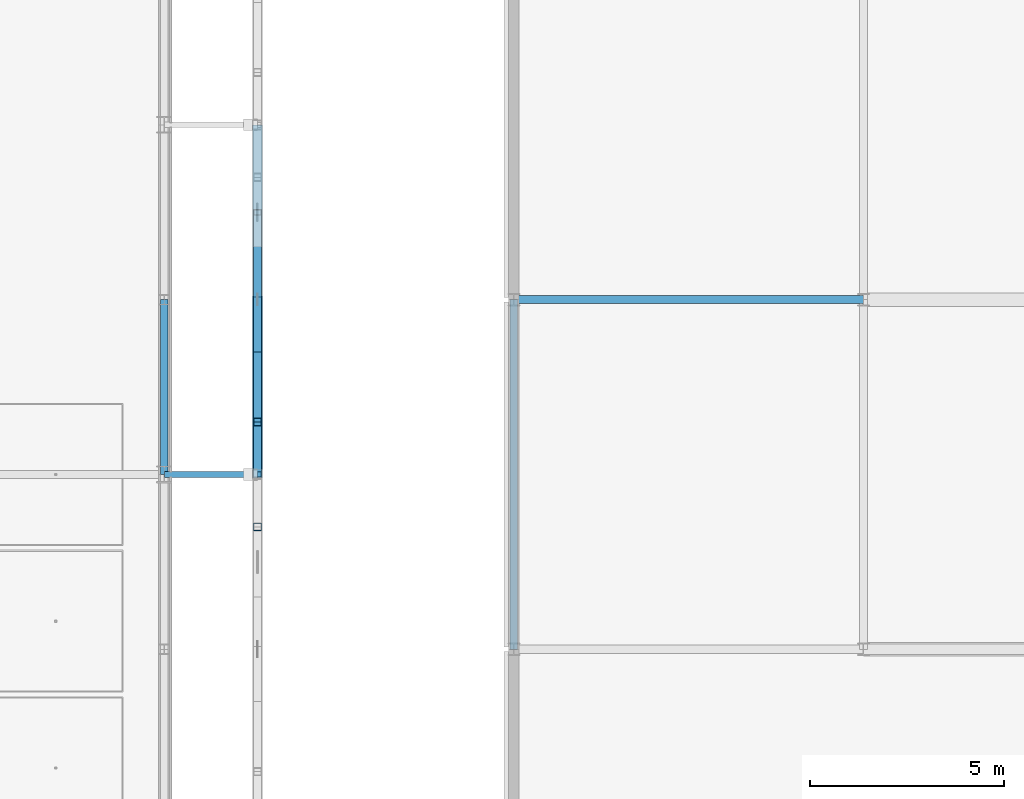
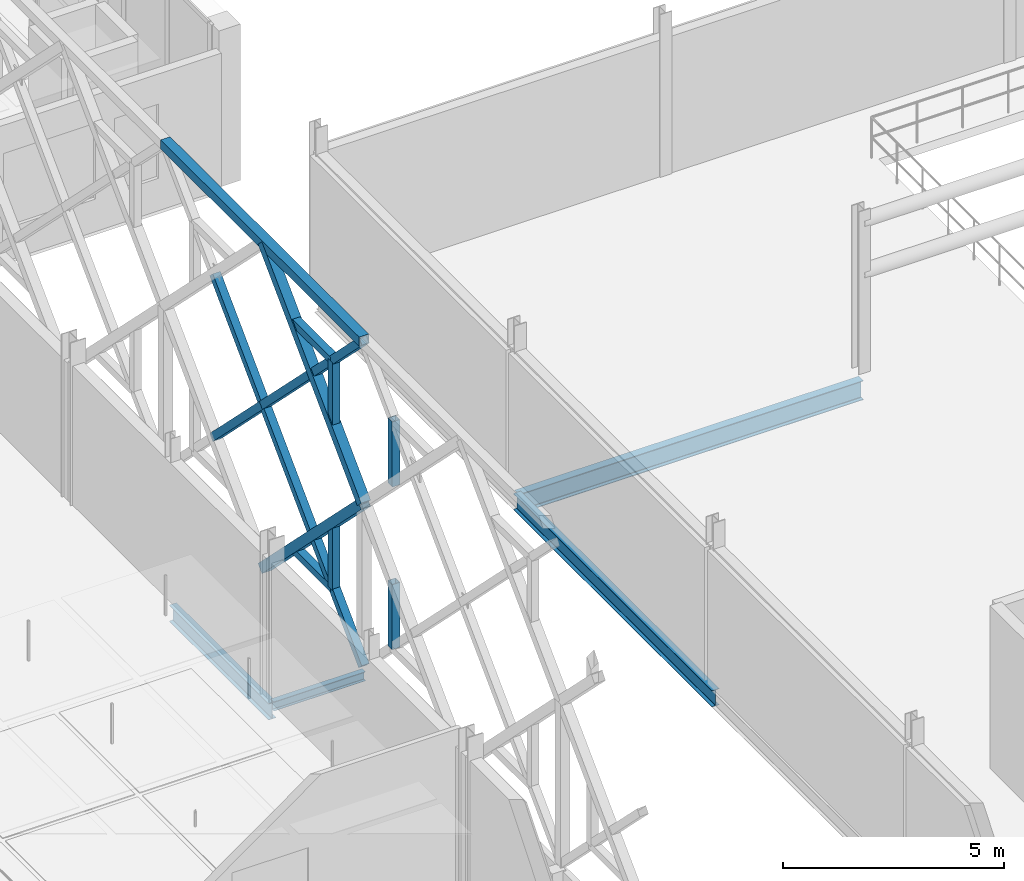
# One storey, part 36 of 140: 14 members, 4 beams.
"""IFC4 building model written with IfcOpenShell, lengths in metres."""

from ifc_helpers import new_model, si_unit, direction, frame, origin, origin_2d, place, context, subcontext, project, spatial, hollow_rectangle, i_section, extrude, material, material_profile, profile_set, type_object, element, save


model = new_model("IFC4")

# Units and contexts
model_context = context("Model", 3, precision=1e-05, world=origin(), true_north=direction((0.0, 1.0)))
body_context = subcontext(model_context, "Body", "Model", "MODEL_VIEW")
ifc_project = project(units=[si_unit("LENGTHUNIT", "METRE"), si_unit("AREAUNIT", "SQUARE_METRE"), si_unit("VOLUMEUNIT", "CUBIC_METRE"), si_unit("PLANEANGLEUNIT", "RADIAN"), si_unit("MASSUNIT", "GRAM", prefix="KILO"), si_unit("THERMODYNAMICTEMPERATUREUNIT", "KELVIN"), si_unit("POWERUNIT", "WATT")], contexts=[model_context])

# Site, building, storey
site_placement = place(None, origin())
site = spatial("IfcSite", under=ifc_project, at=site_placement, CompositionType="ELEMENT")
building_placement = place(site_placement, origin())
building = spatial("IfcBuilding", under=site, at=building_placement, Name="Tallowbark Science Centre", CompositionType="ELEMENT")
storey_placement = place(building_placement, frame((0.0, 0.0, 9.89990234375)))
storey = spatial("IfcBuildingStorey", under=building, at=storey_placement, Name="L02", CompositionType="ELEMENT", Elevation=9.89990234375)

# Beams
ifc_material_1 = material(Name="White Architectural Painted Steel Grade C350L0 (350 MPa)", Category="steel")
ifc_material_profile_1 = material_profile(ifc_material_1, i_section(OverallWidth=0.146484375, OverallDepth=0.256103515625, WebThickness=0.00634765625, FlangeThickness=0.010986328125, FilletRadius=0.0087890625, at=origin_2d()), Name="250UB37.3")
ifc_profile_set_1 = profile_set([ifc_material_profile_1], Name="White Architectural Painted Steel Grade C350L0 (350 MPa)")
beam_type_1 = type_object("IfcBeamType", Name="BM-OUT250", PredefinedType="BEAM", material=ifc_profile_set_1)
beam_1_placement = place(storey_placement, frame((103.5, 22.5, -0.25), z_axis=(1.0, 0.0, 0.0), x_axis=(0.0, 1.0, 0.0)))
element("IfcBeam", 1, at=beam_1_placement, inside=storey, type_object=beam_type_1, Name="Star Screen Outrigger Tie Beam E-33", PredefinedType="BEAM", context=body_context, shape_type="SweptSolid", body=[
    extrude(i_section(OverallWidth=0.146484375, OverallDepth=0.256103515625, WebThickness=0.00634765625, FlangeThickness=0.010986328125, FilletRadius=0.0087890625, at=origin_2d()), origin(), (0.0, 0.0, 1.0), 2.39990234375),
])
ifc_material_2 = material(Name="Structural Steel Grade 300PLUS (300 MPa)", Category="steel")
ifc_material_profile_2 = material_profile(ifc_material_2, i_section(OverallWidth=0.208984375, OverallDepth=0.532958984375, WebThickness=0.01025390625, FlangeThickness=0.015625, FilletRadius=0.013916015625, at=origin_2d()), Name="530UB92.4")
ifc_profile_set_2 = profile_set([ifc_material_profile_2], Name="Structural Steel Grade 300PLUS (300 MPa)")
beam_type_2 = type_object("IfcBeamType", Name="BM-UB530A", PredefinedType="BEAM", material=ifc_profile_set_2)
beam_2_placement = place(storey_placement, frame((112.5, 27.0, -0.511474609375), z_axis=(1.0, 0.0, 0.0), x_axis=(0.0, 1.0, 0.0)))
element("IfcBeam", 2, at=beam_2_placement, inside=storey, type_object=beam_type_2, Name="Primary Girder GRDX-L02-1125-1215-270", PredefinedType="BEAM", context=body_context, shape_type="SweptSolid", body=[
    extrude(i_section(OverallWidth=0.208984375, OverallDepth=0.532958984375, WebThickness=0.01025390625, FlangeThickness=0.015625, FilletRadius=0.013916015625, at=origin_2d()), origin(), (0.0, 0.0, 1.0), 9.0),
])

# Members
ifc_material_profile_3 = material_profile(ifc_material_1, hollow_rectangle(XDim=0.25, YDim=0.25, WallThickness=0.009033203125, at=origin_2d()), Name="250x250x9.0SHS")
ifc_profile_set_3 = profile_set([ifc_material_profile_3], Name="White Architectural Painted Steel Grade C350L0 (350 MPa)")
member_type_1 = type_object("IfcMemberType", Name="SCR-CHD200", PredefinedType="CHORD", material=ifc_profile_set_3)
member_1_placement = place(storey_placement, frame((105.89990234375, 22.5, 9.0), z_axis=(0.0, 1.0, 0.0), x_axis=(-1.0, 0.0, 0.0)))
element("IfcMember", 3, at=member_1_placement, inside=storey, type_object=member_type_1, Name="Star Screen Frame Chord E-33", PredefinedType="CHORD", context=body_context, shape_type="SweptSolid", body=[
    extrude(hollow_rectangle(XDim=0.25, YDim=0.25, WallThickness=0.009033203125, at=origin_2d()), origin(), (0.0, 0.0, 1.0), 9.0),
])
for number, where, z_axis, x_axis, name in (
    (4, (105.89990234375, 27.0, 9.0), (0.0, -0.707106781187, -0.707106781187), (1.0, 0.0, 0.0), "Star Screen Octagram Diamond Chord E-33-3"),
    (5, (105.89990234375, 22.5, 4.5), (0.0, 0.707106781187, -0.707106781187), (-1.0, 0.0, 0.0), "Star Screen Octagram Diamond Chord E-33-4"),
):
    element("IfcMember", number, at=place(storey_placement, frame(where, z_axis=z_axis, x_axis=x_axis)), inside=storey, type_object=member_type_1, Name=name, PredefinedType="CHORD", context=body_context, shape_type="SweptSolid", body=[
        extrude(hollow_rectangle(XDim=0.25, YDim=0.25, WallThickness=0.009033203125, at=origin_2d()), origin(), (0.0, 0.0, 1.0), 6.364013671875),
    ])
ifc_material_profile_4 = material_profile(ifc_material_1, hollow_rectangle(XDim=0.199951171875, YDim=0.199951171875, WallThickness=0.009033203125, at=origin_2d()), Name="200x200x9.0SHS")
ifc_profile_set_4 = profile_set([ifc_material_profile_4], Name="White Architectural Painted Steel Grade C350L0 (350 MPa)")
member_type_2 = type_object("IfcMemberType", Name="SCR-STAR139", PredefinedType="BRACE", material=ifc_profile_set_4)
member_2_placement = place(storey_placement, frame((105.89990234375, 22.5, 0.0), z_axis=(0.0, 0.707106781187, 0.707106781187), x_axis=(-1.0, 0.0, 0.0)))
element("IfcMember", 6, at=member_2_placement, inside=storey, type_object=member_type_2, Name="Star Screen Continuous X-Diagonal D1A E-33", PredefinedType="BRACE", context=body_context, shape_type="SweptSolid", body=[
    extrude(hollow_rectangle(XDim=0.199951171875, YDim=0.199951171875, WallThickness=0.009033203125, at=origin_2d()), origin(), (0.0, 0.0, 1.0), 3.181884765625),
])
member_3_placement = place(storey_placement, frame((105.89990234375, 24.75, 2.25), z_axis=(0.0, 0.707106781187, 0.707106781187), x_axis=(-1.0, 0.0, 0.0)))
element("IfcMember", 7, at=member_3_placement, inside=storey, type_object=member_type_2, Name="Star Screen Continuous X-Diagonal D1M E-33", PredefinedType="BRACE", context=body_context, shape_type="SweptSolid", body=[
    extrude(hollow_rectangle(XDim=0.199951171875, YDim=0.199951171875, WallThickness=0.009033203125, at=origin_2d()), origin(), (0.0, 0.0, 1.0), 6.364013671875),
])
for number, where, z_axis, x_axis, name in (
    (8, (105.89990234375, 22.5, 9.0), (0.0, 0.707106781187, -0.707106781187), (-1.0, 0.0, 0.0), "Star Screen Split X-Diagonal D2A E-33"),
    (9, (105.89990234375, 24.75, 6.75), (0.0, 0.707106781187, -0.707106781187), (-1.0, 0.0, 0.0), "Star Screen Split X-Diagonal D2B E-33"),
    (10, (105.89990234375, 27.0, 4.5), (0.0, 0.707106781187, -0.707106781187), (-1.0, 0.0, 0.0), "Star Screen Split X-Diagonal D2C E-33"),
):
    element("IfcMember", number, at=place(storey_placement, frame(where, z_axis=z_axis, x_axis=x_axis)), inside=storey, type_object=member_type_2, Name=name, PredefinedType="BRACE", context=body_context, shape_type="SweptSolid", body=[
        extrude(hollow_rectangle(XDim=0.199951171875, YDim=0.199951171875, WallThickness=0.009033203125, at=origin_2d()), origin(), (0.0, 0.0, 1.0), 3.181884765625),
    ])
ifc_material_profile_5 = material_profile(ifc_material_1, hollow_rectangle(XDim=0.199951171875, YDim=0.199951171875, WallThickness=0.009033203125, at=origin_2d()), Name="200x200x9.0SHS")
ifc_profile_set_5 = profile_set([ifc_material_profile_5], Name="White Architectural Painted Steel Grade C350L0 (350 MPa)")
member_type_3 = type_object("IfcMemberType", Name="SCR-SUB150", PredefinedType="BRACE", material=ifc_profile_set_5)
for number, where, z_axis, x_axis, name in (
    (11, (105.89990234375, 21.14990234375, 1.35009765625), (0.0, 0.0, 1.0), (1.0, 0.0, 0.0), "Star Screen Octagram Point Ray E-31-4"),
    (12, (105.89990234375, 21.14990234375, 7.650146484375), (0.0, 0.0, -1.0), (1.0, 0.0, 0.0), "Star Screen Octagram Point Ray E-31-6"),
):
    element("IfcMember", number, at=place(storey_placement, frame(where, z_axis=z_axis, x_axis=x_axis)), inside=storey, type_object=member_type_3, Name=name, PredefinedType="BRACE", context=body_context, shape_type="SweptSolid", body=[
        extrude(hollow_rectangle(XDim=0.199951171875, YDim=0.199951171875, WallThickness=0.009033203125, at=origin_2d()), origin(), (0.0, 0.0, 1.0), 1.800048828125),
    ])
member_4_placement = place(storey_placement, frame((105.89990234375, 23.85009765625, 1.35009765625), z_axis=(0.0, 1.0, 0.0), x_axis=(-1.0, 0.0, 0.0)))
element("IfcMember", 13, at=member_4_placement, inside=storey, type_object=member_type_3, Name="Star Screen Octagram Point Ray E-33-1", PredefinedType="BRACE", context=body_context, shape_type="SweptSolid", body=[
    extrude(hollow_rectangle(XDim=0.199951171875, YDim=0.199951171875, WallThickness=0.009033203125, at=origin_2d()), origin(), (0.0, 0.0, 1.0), 1.7998046875),
])
member_5_placement = place(storey_placement, frame((105.89990234375, 23.85009765625, 1.35009765625), z_axis=(0.0, 0.0, 1.0), x_axis=(1.0, 0.0, 0.0)))
element("IfcMember", 14, at=member_5_placement, inside=storey, type_object=member_type_3, Name="Star Screen Octagram Point Ray E-33-2", PredefinedType="BRACE", context=body_context, shape_type="SweptSolid", body=[
    extrude(hollow_rectangle(XDim=0.199951171875, YDim=0.199951171875, WallThickness=0.009033203125, at=origin_2d()), origin(), (0.0, 0.0, 1.0), 1.800048828125),
])
member_6_placement = place(storey_placement, frame((105.89990234375, 23.85009765625, 7.650146484375), z_axis=(0.0, 1.0, 0.0), x_axis=(-1.0, 0.0, 0.0)))
element("IfcMember", 15, at=member_6_placement, inside=storey, type_object=member_type_3, Name="Star Screen Octagram Point Ray E-33-7", PredefinedType="BRACE", context=body_context, shape_type="SweptSolid", body=[
    extrude(hollow_rectangle(XDim=0.199951171875, YDim=0.199951171875, WallThickness=0.009033203125, at=origin_2d()), origin(), (0.0, 0.0, 1.0), 1.7998046875),
])
member_7_placement = place(storey_placement, frame((105.89990234375, 23.85009765625, 7.650146484375), z_axis=(0.0, 0.0, -1.0), x_axis=(1.0, 0.0, 0.0)))
element("IfcMember", 16, at=member_7_placement, inside=storey, type_object=member_type_3, Name="Star Screen Octagram Point Ray E-33-8", PredefinedType="BRACE", context=body_context, shape_type="SweptSolid", body=[
    extrude(hollow_rectangle(XDim=0.199951171875, YDim=0.199951171875, WallThickness=0.009033203125, at=origin_2d()), origin(), (0.0, 0.0, 1.0), 1.800048828125),
])

# Beams
ifc_material_profile_6 = material_profile(ifc_material_2, i_section(OverallWidth=0.18994140625, OverallDepth=0.453857421875, WebThickness=0.008544921875, FlangeThickness=0.0126953125, FilletRadius=0.011474609375, at=origin_2d()), Name="460UB67.1")
ifc_profile_set_6 = profile_set([ifc_material_profile_6], Name="Structural Steel Grade 300PLUS (300 MPa)")
beam_type_3 = type_object("IfcBeamType", Name="SPN-UB460", PredefinedType="SPANDREL", material=ifc_profile_set_6)
beam_3_placement = place(storey_placement, frame((103.5, 22.5, -0.40673828125), z_axis=(0.0, 1.0, 0.0), x_axis=(-1.0, 0.0, 0.0)))
element("IfcBeam", 17, at=beam_3_placement, inside=storey, type_object=beam_type_3, Name="Primary Girder GRDY-L02-1035-225-270", PredefinedType="SPANDREL", context=body_context, shape_type="SweptSolid", body=[
    extrude(i_section(OverallWidth=0.18994140625, OverallDepth=0.453857421875, WebThickness=0.008544921875, FlangeThickness=0.0126953125, FilletRadius=0.011474609375, at=origin_2d()), origin(), (0.0, 0.0, 1.0), 4.5),
])
beam_4_placement = place(storey_placement, frame((112.5, 18.0, -0.471923828125), z_axis=(0.0, 1.0, 0.0), x_axis=(-1.0, 0.0, 0.0)))
element("IfcBeam", 18, at=beam_4_placement, inside=storey, type_object=beam_type_3, Name="Primary Girder GRDY-L02-1125-180-270", PredefinedType="SPANDREL", context=body_context, shape_type="SweptSolid", body=[
    extrude(i_section(OverallWidth=0.18994140625, OverallDepth=0.453857421875, WebThickness=0.008544921875, FlangeThickness=0.0126953125, FilletRadius=0.011474609375, at=origin_2d()), origin(), (0.0, 0.0, 1.0), 9.0),
])

save(model, "model.ifc")
